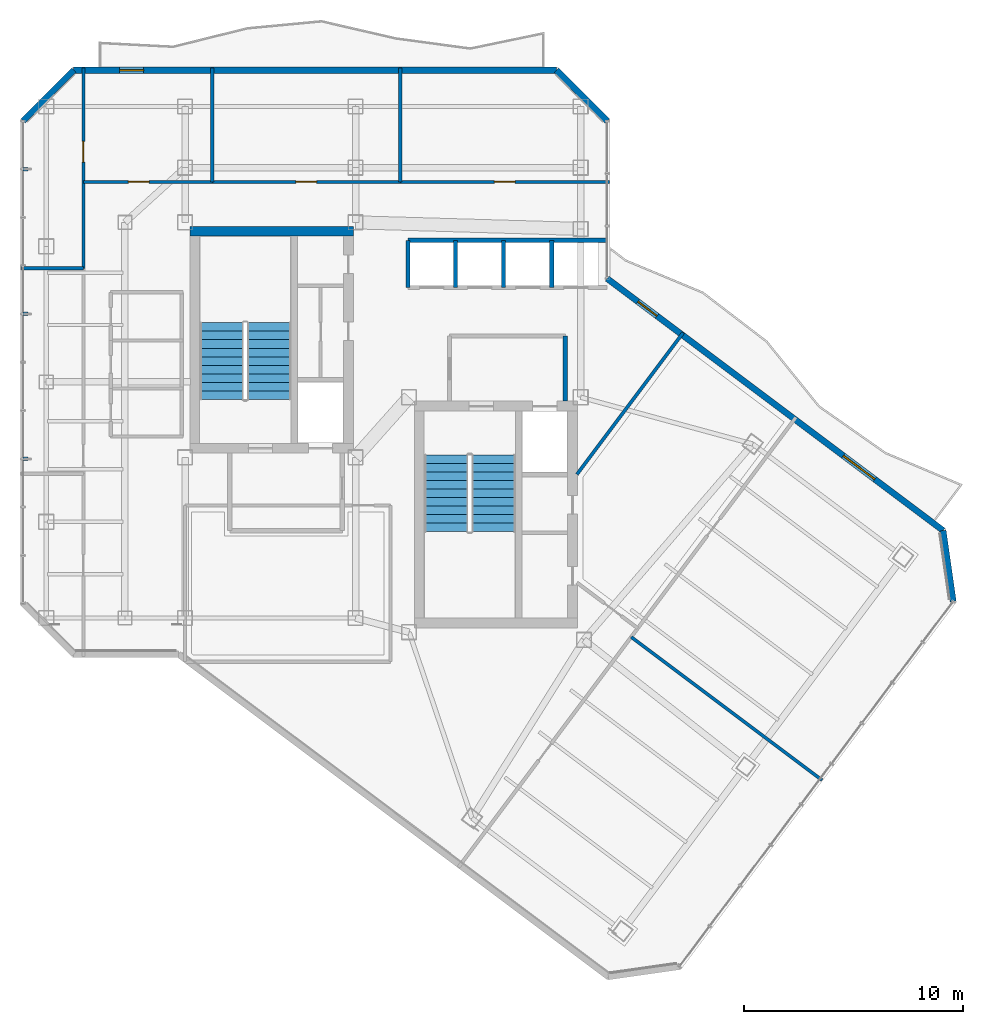
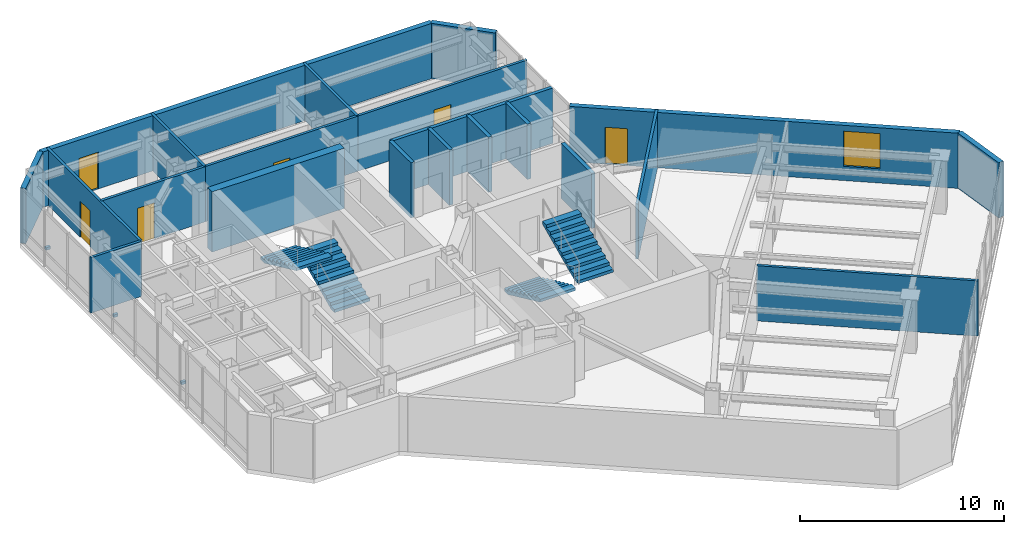
# One storey, part 21 of 25: 21 walls, 6 doors, 4 stair flights, 3 discrete accessories, 1 window, 7 openings, 2 elements without a shape of their own.
"""IFC4 building model written with IfcOpenShell, lengths in metres."""

from ifc_helpers import new_model, si_unit, direction, frame, frame_2d, origin, origin_2d, place, context, subcontext, project, spatial, polyline, rectangle, outline, extrude, material, layer, layer_set, type_object, element, fill, aggregate, save


model = new_model("IFC4")

# Units and contexts
model_context = context("Model", 3, precision=1e-05, world=origin(), true_north=direction((0.0, 1.0)))
body_context = subcontext(model_context, "Body", "Model", "MODEL_VIEW")
ifc_project = project(units=[si_unit("LENGTHUNIT", "METRE"), si_unit("AREAUNIT", "SQUARE_METRE"), si_unit("VOLUMEUNIT", "CUBIC_METRE"), si_unit("PLANEANGLEUNIT", "RADIAN"), si_unit("MASSUNIT", "GRAM", prefix="KILO")], contexts=[model_context])

# Site, building, storey
site_placement = place(None, origin())
site = spatial("IfcSite", under=ifc_project, at=site_placement, CompositionType="ELEMENT")
building_placement = place(site_placement, origin())
building = spatial("IfcBuilding", under=site, at=building_placement, Name="Hatsunagi Terrace Concourse", CompositionType="ELEMENT")
storey_placement = place(building_placement, frame((0.0, 0.0, 231.14990234375)))
storey = spatial("IfcBuildingStorey", under=building, at=storey_placement, Name="L61", CompositionType="ELEMENT", Elevation=231.14990234375)

# Walls
ifc_material_1 = material(Name="Concrete Fc42", Category="concrete")
ifc_layer_1 = layer(ifc_material_1, 0.449951171875)
ifc_layer_set_1 = layer_set([ifc_layer_1], Name="CoreShearWall_Fc42_450")
wall_type_1 = type_object("IfcWallType", Name="CoreShearWall_Fc42_450", PredefinedType="SHEAR", material=ifc_layer_set_1)
wall_1_placement = place(storey_placement, frame((25.77001953125, 42.89501953125, 0.0), z_axis=(0.0, 0.0, 1.0), x_axis=(1.0, 0.0, 0.0)))
element("IfcWall", 1, at=wall_1_placement, inside=storey, type_object=wall_type_1, Name="Core A Shear Wall N L61", PredefinedType="SHEAR", context=body_context, shape_type="SweptSolid", body=[
    extrude(rectangle(XDim=7.47998046875, YDim=0.449951171875, at=frame_2d((3.739990234375, 0.0))), origin(), (0.0, 0.0, 1.0), 3.60009765625),
])
ifc_material_2 = material(Name="Acoustic mineral board", Category="gypsum")
ifc_layer_2 = layer(ifc_material_2, 0.14990234375)
ifc_layer_set_2 = layer_set([ifc_layer_2], Name="PartitionWall_EI60_150")
wall_type_2 = type_object("IfcWallType", Name="PartitionWall_EI60_150", PredefinedType="PARTITIONING", material=ifc_layer_set_2)
wall_2_placement = place(storey_placement, frame((18.0400390625, 41.199951171875, 0.0), z_axis=(0.0, 0.0, 1.0), x_axis=(1.0, 0.0, 0.0)))
element("IfcWall", 2, at=wall_2_placement, inside=storey, type_object=wall_type_2, Name="Interior Partition IW-L61-032", PredefinedType="PARTITIONING", context=body_context, shape_type="SweptSolid", body=[
    extrude(rectangle(XDim=2.85986328125, YDim=0.14990234375, at=frame_2d((1.429931640625, 0.0))), origin(), (0.0, 0.0, 1.0), 3.300048828125),
])

# Wall, opening, door
wall_3_placement = place(storey_placement, frame((20.89990234375, 41.199951171875, 0.0), z_axis=(0.0, 0.0, 1.0), x_axis=(0.0, 1.0, 0.0)))
wall_3 = element("IfcWall", 3, at=wall_3_placement, inside=storey, type_object=wall_type_2, Name="Interior Partition IW-L61-034", PredefinedType="PARTITIONING", context=body_context, shape_type="SweptSolid", body=[
    extrude(rectangle(XDim=9.16015625, YDim=0.14990234375, at=frame_2d((4.580078125, 0.0))), origin(), (0.0, 0.0, 1.0), 3.300048828125),
])
opening_1_placement = place(wall_3_placement, frame((4.85009765625, 0.0, 0.0)))
opening_1 = element("IfcOpeningElement", 4, at=opening_1_placement, cuts=wall_3, Name="Opening DR-095", PredefinedType="OPENING", context=body_context, shape_type="SweptSolid", body=[
    extrude(rectangle(XDim=0.949951171875, YDim=2.14990234375, at=frame_2d((0.47509765625, 1.074951171875))), frame((0.0, 0.0849609375, 0.0), z_axis=(0.0, -1.0, 0.0), x_axis=(1.0, 0.0, 0.0)), (0.0, 0.0, 1.0), 0.169921875),
])
ifc_material_3 = material(Name="Hardwood timber", Category="wood")
door_type_1 = type_object("IfcDoorType", Name="InteriorSuiteDoor_EI30_950", OperationType="NOTDEFINED", PredefinedType="DOOR", material=ifc_material_3)
door_1_placement = place(opening_1_placement, origin())
door_1 = element("IfcDoor", 5, at=door_1_placement, inside=storey, type_object=door_type_1, Name="Boardroom L61-OW3 Door", OperationType="SINGLE_SWING_RIGHT", OverallHeight=2.14990234375, OverallWidth=0.949951171875, PredefinedType="DOOR", context=body_context, shape_type="SweptSolid", body=[
    extrude(rectangle(XDim=0.949951171875, YDim=2.14990234375, at=frame_2d((0.47509765625, 1.074951171875))), frame((0.0, 0.02490234375, 0.0), z_axis=(0.0, -1.0, 0.0), x_axis=(1.0, 0.0, 0.0)), (0.0, 0.0, 1.0), 0.050048828125),
])
fill(opening_1, door_1)

wall_4_placement = place(storey_placement, frame((20.89990234375, 45.14990234375, 0.0), z_axis=(0.0, 0.0, 1.0), x_axis=(1.0, 0.0, 0.0)))
wall_4 = element("IfcWall", 6, at=wall_4_placement, inside=storey, type_object=wall_type_2, Name="Interior Partition IW-L61-035", PredefinedType="PARTITIONING", context=body_context, shape_type="SweptSolid", body=[
    extrude(rectangle(XDim=5.900146484375, YDim=0.14990234375, at=frame_2d((2.9501953125, 0.0))), origin(), (0.0, 0.0, 1.0), 3.300048828125),
])
opening_2_placement = place(wall_4_placement, frame((2.055908203125, 0.0, 0.0)))
opening_2 = element("IfcOpeningElement", 7, at=opening_2_placement, cuts=wall_4, Name="Opening DR-095", PredefinedType="OPENING", context=body_context, shape_type="SweptSolid", body=[
    extrude(rectangle(XDim=0.949951171875, YDim=2.14990234375, at=frame_2d((0.47509765625, 1.074951171875))), frame((0.0, 0.0849609375, 0.0), z_axis=(0.0, -1.0, 0.0), x_axis=(1.0, 0.0, 0.0)), (0.0, 0.0, 1.0), 0.169921875),
])
door_2_placement = place(opening_2_placement, origin())
door_2 = element("IfcDoor", 8, at=door_2_placement, inside=storey, type_object=door_type_1, Name="Meeting Room L61-ON1 Door", OperationType="SINGLE_SWING_LEFT", OverallHeight=2.14990234375, OverallWidth=0.949951171875, PredefinedType="DOOR", context=body_context, shape_type="SweptSolid", body=[
    extrude(rectangle(XDim=0.949951171875, YDim=2.14990234375, at=frame_2d((0.47509765625, 1.074951171875))), frame((0.0, 0.02490234375, 0.0), z_axis=(0.0, -1.0, 0.0), x_axis=(1.0, 0.0, 0.0)), (0.0, 0.0, 1.0), 0.050048828125),
])
fill(opening_2, door_2)

# Wall
wall_5_placement = place(storey_placement, frame((26.800048828125, 45.14990234375, 0.0), z_axis=(0.0, 0.0, 1.0), x_axis=(0.0, 1.0, 0.0)))
element("IfcWall", 9, at=wall_5_placement, inside=storey, type_object=wall_type_2, Name="Interior Partition IW-L61-036", PredefinedType="PARTITIONING", context=body_context, shape_type="SweptSolid", body=[
    extrude(rectangle(XDim=5.210205078125, YDim=0.14990234375, at=frame_2d((2.60498046875, 0.0))), origin(), (0.0, 0.0, 1.0), 3.300048828125),
])

# Wall, opening, door
wall_6_placement = place(storey_placement, frame((26.800048828125, 45.14990234375, 0.0), z_axis=(0.0, 0.0, 1.0), x_axis=(1.0, 0.0, 0.0)))
wall_6 = element("IfcWall", 10, at=wall_6_placement, inside=storey, type_object=wall_type_2, Name="Interior Partition IW-L61-037", PredefinedType="PARTITIONING", context=body_context, shape_type="SweptSolid", body=[
    extrude(rectangle(XDim=8.599853515625, YDim=0.14990234375, at=frame_2d((4.2998046875, 0.0))), origin(), (0.0, 0.0, 1.0), 3.300048828125),
])
opening_3_placement = place(wall_6_placement, frame((3.824951171875, 0.0, 0.0)))
opening_3 = element("IfcOpeningElement", 11, at=opening_3_placement, cuts=wall_6, Name="Opening DR-095", PredefinedType="OPENING", context=body_context, shape_type="SweptSolid", body=[
    extrude(rectangle(XDim=0.949951171875, YDim=2.14990234375, at=frame_2d((0.47509765625, 1.074951171875))), frame((0.0, 0.0849609375, 0.0), z_axis=(0.0, -1.0, 0.0), x_axis=(1.0, 0.0, 0.0)), (0.0, 0.0, 1.0), 0.169921875),
])
door_3_placement = place(opening_3_placement, origin())
door_3 = element("IfcDoor", 12, at=door_3_placement, inside=storey, type_object=door_type_1, Name="Collaboration Lounge L61-ON2 Door", OperationType="SINGLE_SWING_RIGHT", OverallHeight=2.14990234375, OverallWidth=0.949951171875, PredefinedType="DOOR", context=body_context, shape_type="SweptSolid", body=[
    extrude(rectangle(XDim=0.949951171875, YDim=2.14990234375, at=frame_2d((0.47509765625, 1.074951171875))), frame((0.0, 0.02490234375, 0.0), z_axis=(0.0, -1.0, 0.0), x_axis=(1.0, 0.0, 0.0)), (0.0, 0.0, 1.0), 0.050048828125),
])
fill(opening_3, door_3)

# Wall
wall_7_placement = place(storey_placement, frame((35.39990234375, 45.14990234375, 0.0), z_axis=(0.0, 0.0, 1.0), x_axis=(0.0, 1.0, 0.0)))
element("IfcWall", 13, at=wall_7_placement, inside=storey, type_object=wall_type_2, Name="Interior Partition IW-L61-038", PredefinedType="PARTITIONING", context=body_context, shape_type="SweptSolid", body=[
    extrude(rectangle(XDim=5.210205078125, YDim=0.14990234375, at=frame_2d((2.60498046875, 0.0))), origin(), (0.0, 0.0, 1.0), 3.300048828125),
])

# Wall, opening, door
wall_8_placement = place(storey_placement, frame((35.39990234375, 45.14990234375, 0.0), z_axis=(0.0, 0.0, 1.0), x_axis=(1.0, 0.0, 0.0)))
wall_8 = element("IfcWall", 14, at=wall_8_placement, inside=storey, type_object=wall_type_2, Name="Interior Partition IW-L61-039", PredefinedType="PARTITIONING", context=body_context, shape_type="SweptSolid", body=[
    extrude(rectangle(XDim=9.56005859375, YDim=0.14990234375, at=frame_2d((4.780029296875, 0.0))), origin(), (0.0, 0.0, 1.0), 3.300048828125),
])
opening_4_placement = place(wall_8_placement, frame((4.304931640625, 0.0, 0.0)))
opening_4 = element("IfcOpeningElement", 15, at=opening_4_placement, cuts=wall_8, Name="Opening DR-095", PredefinedType="OPENING", context=body_context, shape_type="SweptSolid", body=[
    extrude(rectangle(XDim=0.949951171875, YDim=2.14990234375, at=frame_2d((0.47509765625, 1.074951171875))), frame((0.0, 0.0849609375, 0.0), z_axis=(0.0, -1.0, 0.0), x_axis=(1.0, 0.0, 0.0)), (0.0, 0.0, 1.0), 0.169921875),
])
door_4_placement = place(opening_4_placement, origin())
door_4 = element("IfcDoor", 16, at=door_4_placement, inside=storey, type_object=door_type_1, Name="Boardroom L61-ON3 Door", OperationType="SINGLE_SWING_RIGHT", OverallHeight=2.14990234375, OverallWidth=0.949951171875, PredefinedType="DOOR", context=body_context, shape_type="SweptSolid", body=[
    extrude(rectangle(XDim=0.949951171875, YDim=2.14990234375, at=frame_2d((0.47509765625, 1.074951171875))), frame((0.0, 0.02490234375, 0.0), z_axis=(0.0, -1.0, 0.0), x_axis=(1.0, 0.0, 0.0)), (0.0, 0.0, 1.0), 0.050048828125),
])
fill(opening_4, door_4)

# Walls
wall_9_placement = place(storey_placement, frame((45.9599609375, 24.330078125, 0.0), z_axis=(0.0, 0.0, 1.0), x_axis=(0.799994629375, -0.600007160767, 0.0)))
element("IfcWall", 17, at=wall_9_placement, inside=storey, type_object=wall_type_2, Name="Interior Partition IW-L61-040", PredefinedType="PARTITIONING", context=body_context, shape_type="SweptSolid", body=[
    extrude(rectangle(XDim=10.91015625, YDim=0.14990234375, at=frame_2d((5.455078125, 0.0))), origin(), (0.0, 0.0, 1.0), 3.300048828125),
])
wall_10_placement = place(storey_placement, frame((43.47998046875, 31.77294921875, 0.0), z_axis=(0.0, 0.0, 1.0), x_axis=(0.599971041729, 0.800021717885, 0.0)))
element("IfcWall", 18, at=wall_10_placement, inside=storey, type_object=wall_type_2, Name="Interior Partition IW-L61-044", PredefinedType="PARTITIONING", context=body_context, shape_type="SweptSolid", body=[
    extrude(rectangle(XDim=8.09375, YDim=0.14990234375, at=frame_2d((4.046875, 0.0))), origin(), (0.0, 0.0, 1.0), 3.300048828125),
])
ifc_material_4 = material(Name="Acoustic mineral board", Category="gypsum")
ifc_layer_3 = layer(ifc_material_4, 0.199951171875)
ifc_layer_set_3 = layer_set([ifc_layer_3], Name="ShaftWall_EI120_200")
wall_type_3 = type_object("IfcWallType", Name="ShaftWall_EI120_200", PredefinedType="STANDARD", material=ifc_layer_set_3)
wall_11_placement = place(storey_placement, frame((42.949951171875, 35.1201171875, 0.0), z_axis=(0.0, 0.0, 1.0), x_axis=(0.0, 1.0, 0.0)))
element("IfcWall", 19, at=wall_11_placement, inside=storey, type_object=wall_type_3, Name="Interior Partition IW-L61-010", PredefinedType="STANDARD", context=body_context, shape_type="SweptSolid", body=[
    extrude(rectangle(XDim=2.97998046875, YDim=0.199951171875, at=frame_2d((1.489990234375, 0.0))), origin(), (0.0, 0.0, 1.0), 3.300048828125),
])
wall_12_placement = place(storey_placement, frame((35.75, 42.47998046875, 0.0), z_axis=(0.0, 0.0, 1.0), x_axis=(1.0, 0.0, 0.0)))
element("IfcWall", 20, at=wall_12_placement, inside=storey, type_object=wall_type_3, Name="Interior Partition IW-L61-012", PredefinedType="STANDARD", context=body_context, shape_type="SweptSolid", body=[
    extrude(rectangle(XDim=9.110107421875, YDim=0.199951171875, at=frame_2d((4.55517578125, 0.0))), origin(), (0.0, 0.0, 1.0), 3.300048828125),
])
for number, where, z_axis, x_axis, name in (
    (21, (35.75, 40.320068359375, 0.0), (0.0, 0.0, 1.0), (0.0, 1.0, 0.0), "Interior Partition IW-L61-013"),
    (22, (37.919921875, 40.320068359375, 0.0), (0.0, 0.0, 1.0), (0.0, 1.0, 0.0), "Interior Partition IW-L61-014"),
    (23, (40.1201171875, 40.320068359375, 0.0), (0.0, 0.0, 1.0), (0.0, 1.0, 0.0), "Interior Partition IW-L61-015"),
    (24, (42.320068359375, 40.320068359375, 0.0), (0.0, 0.0, 1.0), (0.0, 1.0, 0.0), "Interior Partition IW-L61-016"),
):
    element("IfcWall", number, at=place(storey_placement, frame(where, z_axis=z_axis, x_axis=x_axis)), inside=storey, type_object=wall_type_3, Name=name, PredefinedType="STANDARD", context=body_context, shape_type="SweptSolid", body=[
        extrude(rectangle(XDim=2.159912109375, YDim=0.199951171875, at=frame_2d((1.080078125, 0.0))), origin(), (0.0, 0.0, 1.0), 3.300048828125),
    ])

# Wall, openings, door, window
ifc_material_5 = material(Name="Autoclaved Lightweight Concrete and Terracotta Cladding", Category="masonry")
ifc_layer_4 = layer(ifc_material_5, 0.280029296875)
ifc_layer_set_4 = layer_set([ifc_layer_4], Name="TerracottaSpandrelWall_280")
wall_type_4 = type_object("IfcWallType", Name="TerracottaSpandrelWall_280", PredefinedType="STANDARD", material=ifc_layer_set_4)
wall_13_placement = place(storey_placement, frame((44.860107421875, 40.72998046875, 0.0), z_axis=(0.0, 0.0, 1.0), x_axis=(0.800007624502, -0.599989833863, 0.0)))
wall_13 = element("IfcWall", 25, at=wall_13_placement, inside=storey, type_object=wall_type_4, Name="Exterior Spandrel Wall EW-L61-01", PredefinedType="STANDARD", context=body_context, shape_type="SweptSolid", body=[
    extrude(rectangle(XDim=19.212158203125, YDim=0.280029296875, at=frame_2d((9.60595703125, 0.0))), origin(), (0.0, 0.0, 1.0), 3.300048828125),
])
opening_5_placement = place(wall_13_placement, frame((1.7548828125, 0.0, 0.0)))
opening_5 = element("IfcOpeningElement", 26, at=opening_5_placement, cuts=wall_13, Name="Opening BD-01", PredefinedType="OPENING", context=body_context, shape_type="SweptSolid", body=[
    extrude(rectangle(XDim=1.10009765625, YDim=2.199951171875, at=frame_2d((0.550048828125, 1.10009765625))), frame((0.0, 0.14990234375, 0.0), z_axis=(0.0, -1.0, 0.0), x_axis=(1.0, 0.0, 0.0)), (0.0, 0.0, 1.0), 0.300048828125),
])
opening_6_placement = place(wall_13_placement, frame((13.509033203125, 0.0, 0.85009765625)))
opening_6 = element("IfcOpeningElement", 27, at=opening_6_placement, cuts=wall_13, Name="Opening WIN-03", PredefinedType="OPENING", context=body_context, shape_type="SweptSolid", body=[
    extrude(rectangle(XDim=1.800048828125, YDim=2.10009765625, at=frame_2d((0.89990234375, 1.050048828125))), frame((0.0, 0.14990234375, 0.0), z_axis=(0.0, -1.0, 0.0), x_axis=(1.0, 0.0, 0.0)), (0.0, 0.0, 1.0), 0.300048828125),
])
ifc_material_6 = material(Name="Galvanised Steel and Laminated Safety Glass", Category="steel")
door_type_2 = type_object("IfcDoorType", Name="BalconyTerraceAccessDoor_1100x2200", OperationType="SINGLE_SWING_LEFT", PredefinedType="DOOR", material=ifc_material_6)
door_5_placement = place(opening_5_placement, origin())
door_5 = element("IfcDoor", 28, at=door_5_placement, inside=storey, type_object=door_type_2, Name="Engawa Balcony Door L61-BSE", OperationType="SINGLE_SWING_LEFT", OverallHeight=2.199951171875, OverallWidth=1.10009765625, PredefinedType="DOOR", context=body_context, shape_type="SweptSolid", body=[
    extrude(rectangle(XDim=1.10009765625, YDim=2.199951171875, at=frame_2d((0.550048828125, 1.10009765625))), frame((0.0, 0.02490234375, 0.0), z_axis=(0.0, -1.0, 0.0), x_axis=(1.0, 0.0, 0.0)), (0.0, 0.0, 1.0), 0.050048828125),
])
fill(opening_5, door_5)
ifc_material_7 = material(Name="Thermally Broken Aluminium and Low-E Triple Glazing", Category="aluminium")
window_type = type_object("IfcWindowType", Name="OfficeCornerFeatureWindow_1800x2100", PartitioningType="SINGLE_PANEL", PredefinedType="WINDOW", material=ifc_material_7)
window_placement = place(opening_6_placement, origin())
window = element("IfcWindow", 29, at=window_placement, inside=storey, type_object=window_type, Name="Balcony Daylighting Window L61-01-2", OverallHeight=2.10009765625, OverallWidth=1.800048828125, PartitioningType="SINGLE_PANEL", PredefinedType="WINDOW", context=body_context, shape_type="SweptSolid", body=[
    extrude(rectangle(XDim=1.800048828125, YDim=2.10009765625, at=frame_2d((0.89990234375, 1.050048828125))), frame((0.0, 0.030029296875, 0.0), z_axis=(0.0, -1.0, 0.0), x_axis=(1.0, 0.0, 0.0)), (0.0, 0.0, 1.0), 0.06005859375),
])
fill(opening_6, window)

# Walls
wall_14_placement = place(storey_placement, frame((60.22998046875, 29.202880859375, 0.0), z_axis=(0.0, 0.0, 1.0), x_axis=(0.141296221922, -0.989967361922, 0.0)))
element("IfcWall", 30, at=wall_14_placement, inside=storey, type_object=wall_type_4, Name="Exterior Spandrel Wall EW-L61-02", PredefinedType="STANDARD", context=body_context, shape_type="SweptSolid", body=[
    extrude(rectangle(XDim=3.27783203125, YDim=0.280029296875, at=frame_2d((1.638916015625, 0.0))), origin(), (0.0, 0.0, 1.0), 3.300048828125),
])
wall_15_placement = place(storey_placement, frame((18.139892578125, 47.94189453125, 0.0), z_axis=(0.0, 0.0, 1.0), x_axis=(0.707106781187, 0.707106781187, 0.0)))
element("IfcWall", 31, at=wall_15_placement, inside=storey, type_object=wall_type_4, Name="Exterior Spandrel Wall EW-L61-09", PredefinedType="STANDARD", context=body_context, shape_type="SweptSolid", body=[
    extrude(rectangle(XDim=3.2783203125, YDim=0.280029296875, at=frame_2d((1.63916015625, 0.0))), origin(), (0.0, 0.0, 1.0), 3.300048828125),
])

# Wall, opening, door
wall_16_placement = place(storey_placement, frame((20.4580078125, 50.260009765625, 0.0), z_axis=(0.0, 0.0, 1.0), x_axis=(1.0, 0.0, 0.0)))
wall_16 = element("IfcWall", 32, at=wall_16_placement, inside=storey, type_object=wall_type_4, Name="Exterior Spandrel Wall EW-L61-10", PredefinedType="STANDARD", context=body_context, shape_type="SweptSolid", body=[
    extrude(rectangle(XDim=22.083984375, YDim=0.280029296875, at=frame_2d((11.0419921875, 0.0))), origin(), (0.0, 0.0, 1.0), 3.300048828125),
])
opening_7_placement = place(wall_16_placement, frame((2.10009765625, 0.0, 0.0)))
opening_7 = element("IfcOpeningElement", 33, at=opening_7_placement, cuts=wall_16, Name="Opening BD-01", PredefinedType="OPENING", context=body_context, shape_type="SweptSolid", body=[
    extrude(rectangle(XDim=1.10009765625, YDim=2.199951171875, at=frame_2d((0.550048828125, 1.10009765625))), frame((0.0, 0.14990234375, 0.0), z_axis=(0.0, -1.0, 0.0), x_axis=(1.0, 0.0, 0.0)), (0.0, 0.0, 1.0), 0.300048828125),
])
door_6_placement = place(opening_7_placement, origin())
door_6 = element("IfcDoor", 34, at=door_6_placement, inside=storey, type_object=door_type_2, Name="Engawa Balcony Door L61-BN", OperationType="SINGLE_SWING_RIGHT", OverallHeight=2.199951171875, OverallWidth=1.10009765625, PredefinedType="DOOR", context=body_context, shape_type="SweptSolid", body=[
    extrude(rectangle(XDim=1.10009765625, YDim=2.199951171875, at=frame_2d((0.550048828125, 1.10009765625))), frame((0.0, 0.02490234375, 0.0), z_axis=(0.0, -1.0, 0.0), x_axis=(1.0, 0.0, 0.0)), (0.0, 0.0, 1.0), 0.050048828125),
])
fill(opening_7, door_6)

# Wall
wall_17_placement = place(storey_placement, frame((42.5419921875, 50.260009765625, 0.0), z_axis=(0.0, 0.0, 1.0), x_axis=(0.707106781187, -0.707106781187, 0.0)))
element("IfcWall", 35, at=wall_17_placement, inside=storey, type_object=wall_type_4, Name="Exterior Spandrel Wall EW-L61-11", PredefinedType="STANDARD", context=body_context, shape_type="SweptSolid", body=[
    extrude(rectangle(XDim=3.2783203125, YDim=0.280029296875, at=frame_2d((1.63916015625, 0.0))), origin(), (0.0, 0.0, 1.0), 3.300048828125),
])

# Stair, stair flights
ifc_material_8 = material(Name="Concrete Fc42", Category="concrete")
stair_type = type_object("IfcStairType", Name="DoglegExitStair_Tower2000_20R_180", PredefinedType="HALF_TURN_STAIR", material=ifc_material_8)
stair_1_placement = place(storey_placement, origin())
stair_1 = element("IfcStair", 36, at=stair_1_placement, inside=storey, type_object=stair_type, Name="L61 Core A Protected Exit Stair ST-A", PredefinedType="HALF_TURN_STAIR")
ifc_material_9 = material(Name="Concrete Fc42", Category="concrete")
stair_flight_type = type_object("IfcStairFlightType", Name="DoglegStairFlight_Tower2000_20R_180", PredefinedType="STRAIGHT", material=ifc_material_9)
stair_flight_1_placement = place(storey_placement, frame((29.3798828125, 35.199951171875, 0.0), z_axis=(0.0, 0.0, 1.0), x_axis=(0.0, 1.0, 0.0)))
stair_flight_1 = element("IfcStairFlight", 37, at=stair_flight_1_placement, type_object=stair_flight_type, Name="ST-A flight 1", NumberOfRisers=10, NumberOfTreads=9, PredefinedType="STRAIGHT", RiserHeight=0.18, TreadLength=0.39, context=body_context, shape_type="SweptSolid", body=[
    extrude(outline(polyline([(0.0, 0.0), (0.0, 0.179931640625), (0.389892578125, 0.179931640625), (0.389892578125, 0.360107421875), (0.780029296875, 0.360107421875), (0.780029296875, 0.5400390625), (1.169921875, 0.5400390625), (1.169921875, 0.719970703125), (1.56005859375, 0.719970703125), (1.56005859375, 0.89990234375), (1.949951171875, 0.89990234375), (1.949951171875, 1.080078125), (2.340087890625, 1.080078125), (2.340087890625, 1.260009765625), (2.72998046875, 1.260009765625), (2.72998046875, 1.43994140625), (3.1201171875, 1.43994140625), (3.1201171875, 1.6201171875), (3.510009765625, 1.6201171875), (3.510009765625, 1.800048828125), (3.510009765625, 1.454833984375), (0.357666015625, 0.0), (0.0, 0.0)])), frame((0.0, 1.0, 0.0), z_axis=(0.0, -1.0, 0.0), x_axis=(1.0, 0.0, 0.0)), (0.0, 0.0, 1.0), 2.0),
])
stair_flight_2_placement = place(storey_placement, frame((27.22998046875, 38.7099609375, 1.800048828125), z_axis=(0.0, 0.0, 1.0), x_axis=(0.0, -1.0, 0.0)))
stair_flight_2 = element("IfcStairFlight", 38, at=stair_flight_2_placement, type_object=stair_flight_type, Name="ST-A flight 2", NumberOfRisers=10, NumberOfTreads=9, PredefinedType="STRAIGHT", RiserHeight=0.18, TreadLength=0.39, context=body_context, shape_type="SweptSolid", body=[
    extrude(outline(polyline([(0.0, 0.0), (0.0, 0.179931640625), (0.389892578125, 0.179931640625), (0.389892578125, 0.360107421875), (0.780029296875, 0.360107421875), (0.780029296875, 0.5400390625), (1.169921875, 0.5400390625), (1.169921875, 0.719970703125), (1.56005859375, 0.719970703125), (1.56005859375, 0.89990234375), (1.949951171875, 0.89990234375), (1.949951171875, 1.080078125), (2.340087890625, 1.080078125), (2.340087890625, 1.260009765625), (2.72998046875, 1.260009765625), (2.72998046875, 1.43994140625), (3.1201171875, 1.43994140625), (3.1201171875, 1.6201171875), (3.510009765625, 1.6201171875), (3.510009765625, 1.800048828125), (3.510009765625, 1.454833984375), (0.357666015625, 0.0), (0.0, 0.0)])), frame((0.0, 1.0, 0.0), z_axis=(0.0, -1.0, 0.0), x_axis=(1.0, 0.0, 0.0)), (0.0, 0.0, 1.0), 2.0),
])
aggregate(stair_1, [stair_flight_1, stair_flight_2])

stair_2_placement = place(storey_placement, origin())
stair_2 = element("IfcStair", 39, at=stair_2_placement, inside=storey, type_object=stair_type, Name="L61 Core B Protected Exit Stair ST-B", PredefinedType="HALF_TURN_STAIR")
stair_flight_3_placement = place(storey_placement, frame((37.5, 32.659912109375, 0.0), z_axis=(0.0, 0.0, 1.0), x_axis=(0.0, -1.0, 0.0)))
stair_flight_3 = element("IfcStairFlight", 40, at=stair_flight_3_placement, type_object=stair_flight_type, Name="ST-B flight 1", NumberOfRisers=10, NumberOfTreads=9, PredefinedType="STRAIGHT", RiserHeight=0.18, TreadLength=0.39, context=body_context, shape_type="SweptSolid", body=[
    extrude(outline(polyline([(0.0, 0.0), (0.0, 0.179931640625), (0.389892578125, 0.179931640625), (0.389892578125, 0.360107421875), (0.780029296875, 0.360107421875), (0.780029296875, 0.5400390625), (1.169921875, 0.5400390625), (1.169921875, 0.719970703125), (1.56005859375, 0.719970703125), (1.56005859375, 0.89990234375), (1.949951171875, 0.89990234375), (1.949951171875, 1.080078125), (2.340087890625, 1.080078125), (2.340087890625, 1.260009765625), (2.72998046875, 1.260009765625), (2.72998046875, 1.43994140625), (3.1201171875, 1.43994140625), (3.1201171875, 1.6201171875), (3.510009765625, 1.6201171875), (3.510009765625, 1.800048828125), (3.510009765625, 1.454833984375), (0.357666015625, 0.0), (0.0, 0.0)])), frame((0.0, 1.0, 0.0), z_axis=(0.0, -1.0, 0.0), x_axis=(1.0, 0.0, 0.0)), (0.0, 0.0, 1.0), 2.0),
])
stair_flight_4_placement = place(storey_placement, frame((39.64990234375, 29.14990234375, 1.800048828125), z_axis=(0.0, 0.0, 1.0), x_axis=(0.0, 1.0, 0.0)))
stair_flight_4 = element("IfcStairFlight", 41, at=stair_flight_4_placement, type_object=stair_flight_type, Name="ST-B flight 2", NumberOfRisers=10, NumberOfTreads=9, PredefinedType="STRAIGHT", RiserHeight=0.18, TreadLength=0.39, context=body_context, shape_type="SweptSolid", body=[
    extrude(outline(polyline([(0.0, 0.0), (0.0, 0.179931640625), (0.389892578125, 0.179931640625), (0.389892578125, 0.360107421875), (0.780029296875, 0.360107421875), (0.780029296875, 0.5400390625), (1.169921875, 0.5400390625), (1.169921875, 0.719970703125), (1.56005859375, 0.719970703125), (1.56005859375, 0.89990234375), (1.949951171875, 0.89990234375), (1.949951171875, 1.080078125), (2.340087890625, 1.080078125), (2.340087890625, 1.260009765625), (2.72998046875, 1.260009765625), (2.72998046875, 1.43994140625), (3.1201171875, 1.43994140625), (3.1201171875, 1.6201171875), (3.510009765625, 1.6201171875), (3.510009765625, 1.800048828125), (3.510009765625, 1.454833984375), (0.357666015625, 0.0), (0.0, 0.0)])), frame((0.0, 1.0, 0.0), z_axis=(0.0, -1.0, 0.0), x_axis=(1.0, 0.0, 0.0)), (0.0, 0.0, 1.0), 2.0),
])
aggregate(stair_2, [stair_flight_3, stair_flight_4])

# Discrete accessories
ifc_material_10 = material(Name="Stainless Steel SUS316 Bracket", Category="steel")
discrete_accessory_type = type_object("IfcDiscreteAccessoryType", Name="FacadeScreenSupportBracket_SS", PredefinedType="BRACKET", material=ifc_material_10)
for number, where, z_axis, x_axis, name in (
    (42, (18.25, 32.48291015625, 0.97021484375), (0.0, 0.0, 1.0), (0.0, 1.0, 0.0), "Terracotta Screen Bracket BRK-01"),
    (43, (18.25, 39.10791015625, 0.97021484375), (0.0, 0.0, 1.0), (0.0, 1.0, 0.0), "Terracotta Screen Bracket BRK-01"),
    (44, (18.25, 45.73388671875, 0.97021484375), (0.0, 0.0, 1.0), (0.0, 1.0, 0.0), "Terracotta Screen Bracket BRK-01"),
):
    element("IfcDiscreteAccessory", number, at=place(storey_placement, frame(where, z_axis=z_axis, x_axis=x_axis)), inside=storey, type_object=discrete_accessory_type, Name=name, PredefinedType="BRACKET", context=body_context, shape_type="SweptSolid", body=[
        extrude(rectangle(XDim=0.159912109375, YDim=0.239990234375, at=origin_2d()), origin(), (0.0, 0.0, 1.0), 0.159912109375),
    ])

save(model, "model.ifc")
